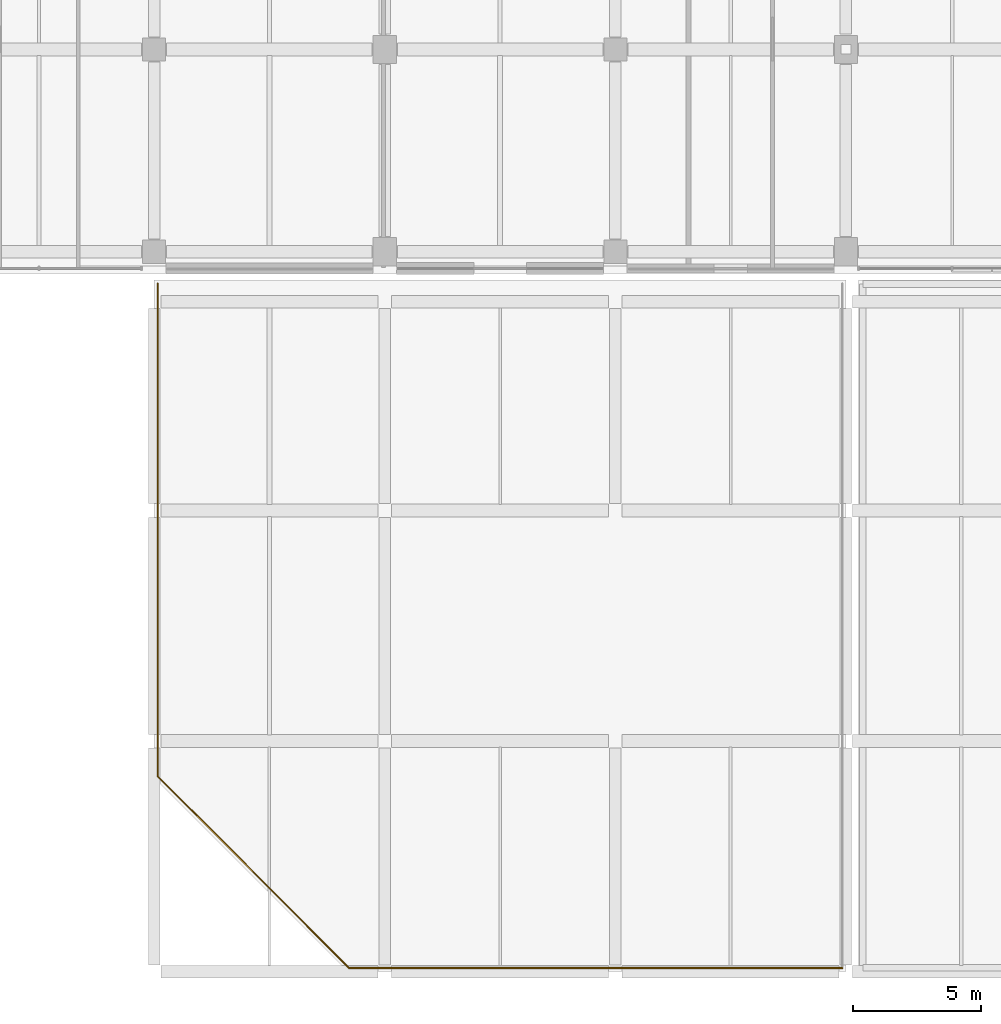
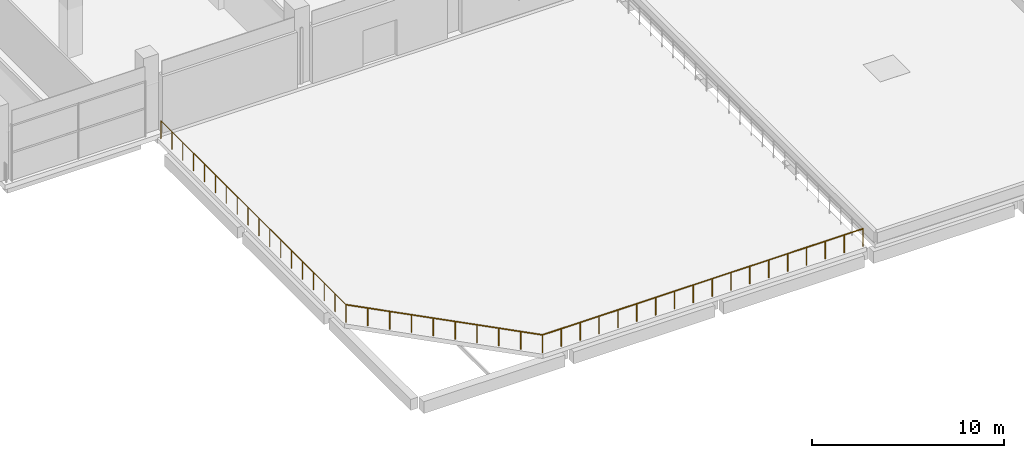
# One storey, part 63 of 82: 3 railings.
"""IFC4 building model written with IfcOpenShell, lengths in metres."""

from ifc_helpers import new_model, si_unit, direction, frame, origin, origin_2d, place, context, subcontext, project, spatial, circle, extrude, material, type_object, element, save


model = new_model("IFC4")

# Units and contexts
model_context = context("Model", 3, precision=1e-05, world=origin(), true_north=direction((0.0, 1.0)))
body_context = subcontext(model_context, "Body", "Model", "MODEL_VIEW")
ifc_project = project(units=[si_unit("LENGTHUNIT", "METRE"), si_unit("AREAUNIT", "SQUARE_METRE"), si_unit("VOLUMEUNIT", "CUBIC_METRE"), si_unit("PLANEANGLEUNIT", "RADIAN"), si_unit("MASSUNIT", "GRAM", prefix="KILO"), si_unit("THERMODYNAMICTEMPERATUREUNIT", "KELVIN"), si_unit("POWERUNIT", "WATT")], contexts=[model_context])

# Site, building, storey
site_placement = place(None, origin())
site = spatial("IfcSite", under=ifc_project, at=site_placement, CompositionType="ELEMENT")
building_placement = place(site_placement, origin())
building = spatial("IfcBuilding", under=site, at=building_placement, Name="Sindhuravela Promenade Stadium", CompositionType="ELEMENT")
storey_placement = place(building_placement, frame((0.0, 0.0, 14.39990234375)))
storey = spatial("IfcBuildingStorey", under=building, at=storey_placement, Name="L03", CompositionType="ELEMENT", Elevation=14.39990234375)

# Railings
ifc_material = material(Name="Architectural wrought steel E350", Category="steel")
railing_type = type_object("IfcRailingType", Name="RL-BAL-1150", PredefinedType="BALUSTRADE", material=ifc_material)
railing_1_placement = place(storey_placement, frame((16.617919921875, 9.139892578125, 0.0)))
element("IfcRailing", 1, at=railing_1_placement, inside=storey, type_object=railing_type, Name="Terrace wrought balustrade BL01-13", PredefinedType="BALUSTRADE", context=body_context, shape_type="SweptSolid", body=[
    extrude(circle(Radius=0.02392578125, at=origin_2d()), frame((0.0, 0.0, 1.1259765625), z_axis=(-0.7071067811865475, 0.7071067811865475, 0.0), x_axis=(-0.7071067811865476, -0.7071067811865476, 0.0)), (0.0, 0.0, 1.0), 10.575439453125),
    extrude(circle(Radius=0.02099609375, at=origin_2d()), origin(), (0.0, 0.0, 1.0), 1.101806640625),
    extrude(circle(Radius=0.02099609375, at=origin_2d()), frame((-0.830810546875, 0.830810546875, 0.0)), (0.0, 0.0, 1.0), 1.101806640625),
    extrude(circle(Radius=0.02099609375, at=origin_2d()), frame((-1.661865234375, 1.661865234375, 0.0)), (0.0, 0.0, 1.0), 1.101806640625),
    extrude(circle(Radius=0.02099609375, at=origin_2d()), frame((-2.49267578125, 2.49267578125, 0.0)), (0.0, 0.0, 1.0), 1.101806640625),
    extrude(circle(Radius=0.02099609375, at=origin_2d()), frame((-3.323486328125, 3.323486328125, 0.0)), (0.0, 0.0, 1.0), 1.101806640625),
    extrude(circle(Radius=0.02099609375, at=origin_2d()), frame((-4.154541015625, 4.154541015625, 0.0)), (0.0, 0.0, 1.0), 1.101806640625),
    extrude(circle(Radius=0.02099609375, at=origin_2d()), frame((-4.9853515625, 4.9853515625, 0.0)), (0.0, 0.0, 1.0), 1.101806640625),
    extrude(circle(Radius=0.02099609375, at=origin_2d()), frame((-5.816162109375, 5.816162109375, 0.0)), (0.0, 0.0, 1.0), 1.101806640625),
    extrude(circle(Radius=0.02099609375, at=origin_2d()), frame((-6.647216796875, 6.647216796875, 0.0)), (0.0, 0.0, 1.0), 1.101806640625),
    extrude(circle(Radius=0.02099609375, at=origin_2d()), frame((-7.47802734375, 7.47802734375, 0.0)), (0.0, 0.0, 1.0), 1.101806640625),
])
railing_2_placement = place(storey_placement, frame((9.139892578125, 16.617919921875, 0.0)))
element("IfcRailing", 2, at=railing_2_placement, inside=storey, type_object=railing_type, Name="Terrace wrought balustrade BL01-14", PredefinedType="BALUSTRADE", context=body_context, shape_type="SweptSolid", body=[
    extrude(circle(Radius=0.02392578125, at=origin_2d()), frame((0.0, 0.0, 1.1259765625), z_axis=(0.0, 1.0, 0.0), x_axis=(-1.0, 0.0, 0.0)), (0.0, 0.0, 1.0), 19.2421875),
    extrude(circle(Radius=0.02099609375, at=origin_2d()), origin(), (0.0, 0.0, 1.0), 1.101806640625),
    extrude(circle(Radius=0.02099609375, at=origin_2d()), frame((0.0, 1.1318359375, 0.0)), (0.0, 0.0, 1.0), 1.101806640625),
    extrude(circle(Radius=0.02099609375, at=origin_2d()), frame((0.0, 2.263671875, 0.0)), (0.0, 0.0, 1.0), 1.101806640625),
    extrude(circle(Radius=0.02099609375, at=origin_2d()), frame((0.0, 3.395751953125, 0.0)), (0.0, 0.0, 1.0), 1.101806640625),
    extrude(circle(Radius=0.02099609375, at=origin_2d()), frame((0.0, 4.527587890625, 0.0)), (0.0, 0.0, 1.0), 1.101806640625),
    extrude(circle(Radius=0.02099609375, at=origin_2d()), frame((0.0, 5.659423828125, 0.0)), (0.0, 0.0, 1.0), 1.101806640625),
    extrude(circle(Radius=0.02099609375, at=origin_2d()), frame((0.0, 6.791259765625, 0.0)), (0.0, 0.0, 1.0), 1.101806640625),
    extrude(circle(Radius=0.02099609375, at=origin_2d()), frame((0.0, 7.92333984375, 0.0)), (0.0, 0.0, 1.0), 1.101806640625),
    extrude(circle(Radius=0.02099609375, at=origin_2d()), frame((0.0, 9.05517578125, 0.0)), (0.0, 0.0, 1.0), 1.101806640625),
    extrude(circle(Radius=0.02099609375, at=origin_2d()), frame((0.0, 10.18701171875, 0.0)), (0.0, 0.0, 1.0), 1.101806640625),
    extrude(circle(Radius=0.02099609375, at=origin_2d()), frame((0.0, 11.31884765625, 0.0)), (0.0, 0.0, 1.0), 1.101806640625),
    extrude(circle(Radius=0.02099609375, at=origin_2d()), frame((0.0, 12.450927734375, 0.0)), (0.0, 0.0, 1.0), 1.101806640625),
    extrude(circle(Radius=0.02099609375, at=origin_2d()), frame((0.0, 13.582763671875, 0.0)), (0.0, 0.0, 1.0), 1.101806640625),
    extrude(circle(Radius=0.02099609375, at=origin_2d()), frame((0.0, 14.714599609375, 0.0)), (0.0, 0.0, 1.0), 1.101806640625),
    extrude(circle(Radius=0.02099609375, at=origin_2d()), frame((0.0, 15.846435546875, 0.0)), (0.0, 0.0, 1.0), 1.101806640625),
    extrude(circle(Radius=0.02099609375, at=origin_2d()), frame((0.0, 16.978515625, 0.0)), (0.0, 0.0, 1.0), 1.101806640625),
    extrude(circle(Radius=0.02099609375, at=origin_2d()), frame((0.0, 18.1103515625, 0.0)), (0.0, 0.0, 1.0), 1.101806640625),
    extrude(circle(Radius=0.02099609375, at=origin_2d()), frame((0.0, 19.2421875, 0.0)), (0.0, 0.0, 1.0), 1.101806640625),
])
railing_3_placement = place(storey_placement, frame((35.860107421875, 9.139892578125, 0.0)))
element("IfcRailing", 3, at=railing_3_placement, inside=storey, type_object=railing_type, Name="Terrace wrought balustrade BL01-16", PredefinedType="BALUSTRADE", context=body_context, shape_type="SweptSolid", body=[
    extrude(circle(Radius=0.02392578125, at=origin_2d()), frame((0.0, 0.0, 1.1259765625), z_axis=(-1.0, 0.0, 0.0), x_axis=(0.0, -1.0, 0.0)), (0.0, 0.0, 1.0), 19.2421875),
    extrude(circle(Radius=0.02099609375, at=origin_2d()), origin(), (0.0, 0.0, 1.0), 1.101806640625),
    extrude(circle(Radius=0.02099609375, at=origin_2d()), frame((-1.1318359375, 0.0, 0.0)), (0.0, 0.0, 1.0), 1.101806640625),
    extrude(circle(Radius=0.02099609375, at=origin_2d()), frame((-2.263671875, 0.0, 0.0)), (0.0, 0.0, 1.0), 1.101806640625),
    extrude(circle(Radius=0.02099609375, at=origin_2d()), frame((-3.395751953125, 0.0, 0.0)), (0.0, 0.0, 1.0), 1.101806640625),
    extrude(circle(Radius=0.02099609375, at=origin_2d()), frame((-4.527587890625, 0.0, 0.0)), (0.0, 0.0, 1.0), 1.101806640625),
    extrude(circle(Radius=0.02099609375, at=origin_2d()), frame((-5.659423828125, 0.0, 0.0)), (0.0, 0.0, 1.0), 1.101806640625),
    extrude(circle(Radius=0.02099609375, at=origin_2d()), frame((-6.791259765625, 0.0, 0.0)), (0.0, 0.0, 1.0), 1.101806640625),
    extrude(circle(Radius=0.02099609375, at=origin_2d()), frame((-7.92333984375, 0.0, 0.0)), (0.0, 0.0, 1.0), 1.101806640625),
    extrude(circle(Radius=0.02099609375, at=origin_2d()), frame((-9.05517578125, 0.0, 0.0)), (0.0, 0.0, 1.0), 1.101806640625),
    extrude(circle(Radius=0.02099609375, at=origin_2d()), frame((-10.18701171875, 0.0, 0.0)), (0.0, 0.0, 1.0), 1.101806640625),
    extrude(circle(Radius=0.02099609375, at=origin_2d()), frame((-11.31884765625, 0.0, 0.0)), (0.0, 0.0, 1.0), 1.101806640625),
    extrude(circle(Radius=0.02099609375, at=origin_2d()), frame((-12.450927734375, 0.0, 0.0)), (0.0, 0.0, 1.0), 1.101806640625),
    extrude(circle(Radius=0.02099609375, at=origin_2d()), frame((-13.582763671875, 0.0, 0.0)), (0.0, 0.0, 1.0), 1.101806640625),
    extrude(circle(Radius=0.02099609375, at=origin_2d()), frame((-14.714599609375, 0.0, 0.0)), (0.0, 0.0, 1.0), 1.101806640625),
    extrude(circle(Radius=0.02099609375, at=origin_2d()), frame((-15.846435546875, 0.0, 0.0)), (0.0, 0.0, 1.0), 1.101806640625),
    extrude(circle(Radius=0.02099609375, at=origin_2d()), frame((-16.978515625, 0.0, 0.0)), (0.0, 0.0, 1.0), 1.101806640625),
    extrude(circle(Radius=0.02099609375, at=origin_2d()), frame((-18.1103515625, 0.0, 0.0)), (0.0, 0.0, 1.0), 1.101806640625),
    extrude(circle(Radius=0.02099609375, at=origin_2d()), frame((-19.2421875, 0.0, 0.0)), (0.0, 0.0, 1.0), 1.101806640625),
])

save(model, "model.ifc")
